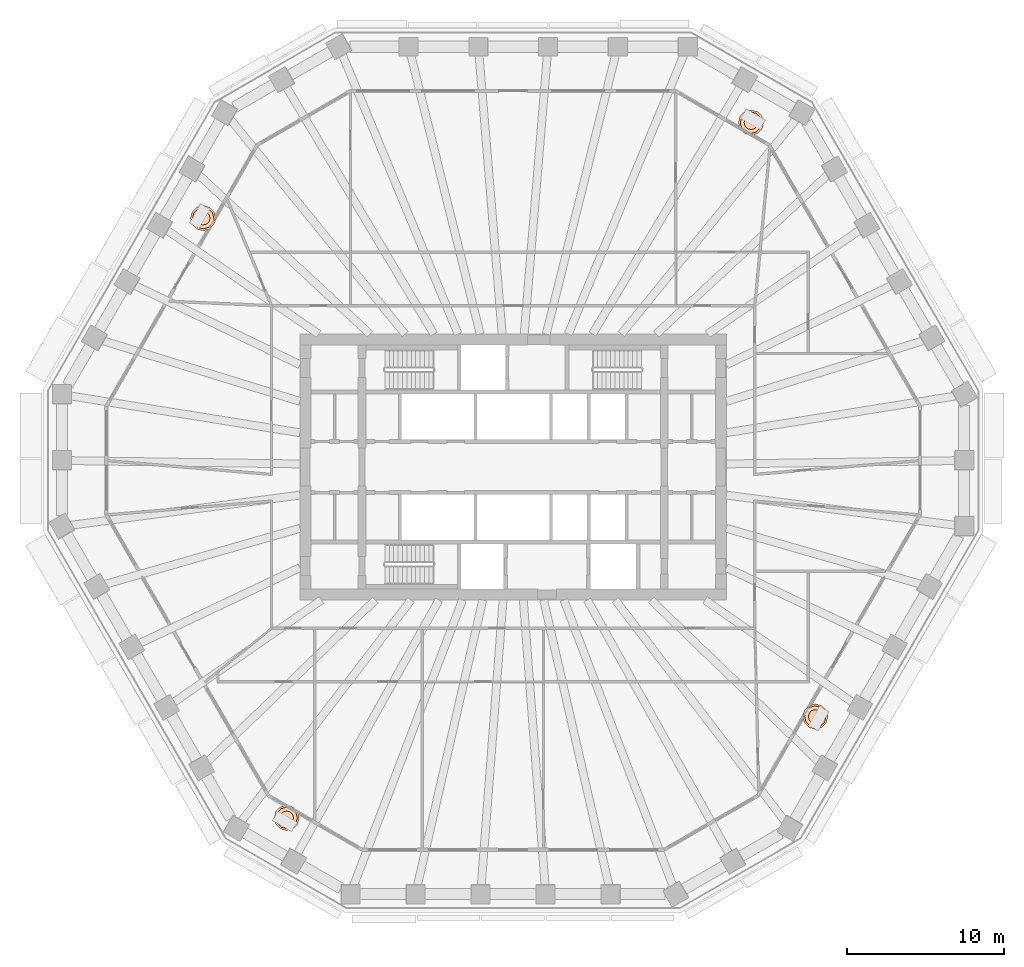
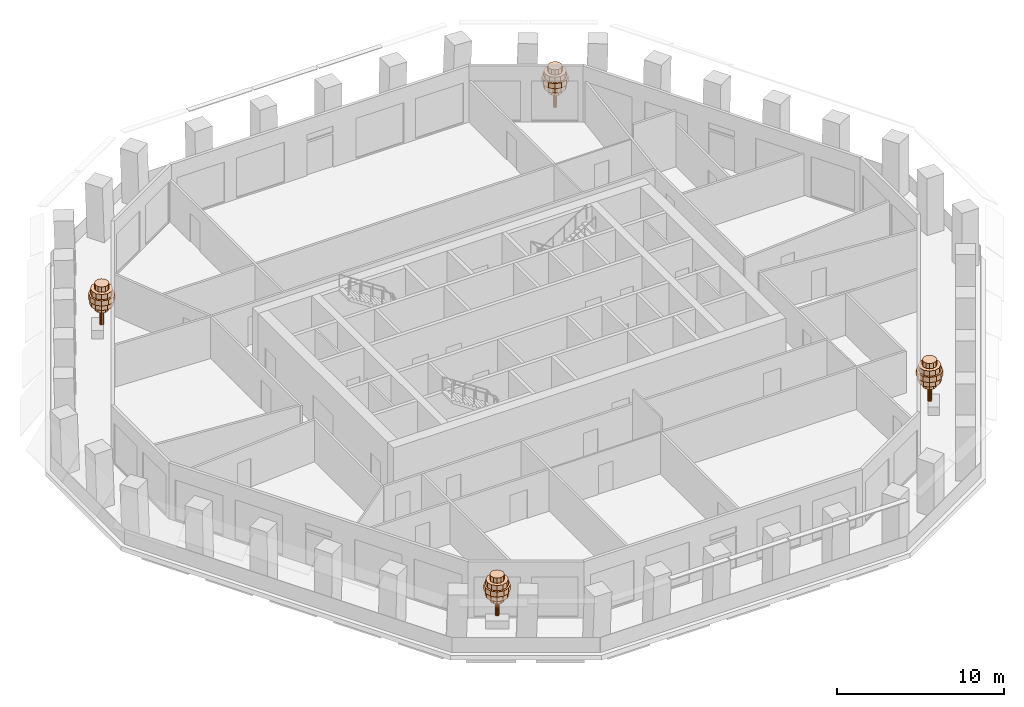
# One storey, part 12 of 12: 4 geographic elements.
"""IFC4 building model written with IfcOpenShell, lengths in metres."""

from ifc_helpers import new_model, si_unit, direction, frame, origin, place, context, subcontext, project, spatial, polyline, outline, extrude, material, type_object, element, save


model = new_model("IFC4")

# Units and contexts
model_context = context("Model", 3, precision=1e-05, world=origin(), true_north=direction((0.0, 1.0)))
body_context = subcontext(model_context, "Body", "Model", "MODEL_VIEW")
ifc_project = project(units=[si_unit("LENGTHUNIT", "METRE"), si_unit("AREAUNIT", "SQUARE_METRE"), si_unit("VOLUMEUNIT", "CUBIC_METRE"), si_unit("PLANEANGLEUNIT", "RADIAN"), si_unit("MASSUNIT", "GRAM", prefix="KILO")], contexts=[model_context])

# Site, building, storey
site_placement = place(None, origin())
site = spatial("IfcSite", under=ifc_project, at=site_placement, CompositionType="ELEMENT")
building_placement = place(site_placement, origin())
building = spatial("IfcBuilding", under=site, at=building_placement, Name="Frailejon Research Tower", CompositionType="ELEMENT")
storey_placement = place(building_placement, frame((0.0, 0.0, 158.39990234375)))
storey = spatial("IfcBuildingStorey", under=building, at=storey_placement, Name="L34", CompositionType="ELEMENT", Elevation=158.39990234375)

# Geographic elements
ifc_material = material(Name="Foliage, green")
geographic_element_type = type_object("IfcGeographicElementType", Name="Frailejon tree, loggia", PredefinedType="USERDEFINED", material=ifc_material)
geographic_element_1_placement = place(storey_placement, frame((15.1103515625, 21.878173828125, 0.60009765625)))
element("IfcGeographicElement", 1, at=geographic_element_1_placement, inside=storey, type_object=geographic_element_type, Name="Tree L34", ObjectType="TREE", PredefinedType="USERDEFINED", context=body_context, shape_type="SweptSolid", body=[
    extrude(outline(polyline([(0.1298828125, 0.0), (0.112548828125, 0.06494140625), (0.06494140625, 0.112548828125), (0.0, 0.1298828125), (-0.06494140625, 0.112548828125), (-0.112548828125, 0.06494140625), (-0.1298828125, 0.0), (-0.112548828125, -0.06494140625), (-0.06494140625, -0.112548828125), (0.0, -0.1298828125), (0.06494140625, -0.112548828125), (0.112548828125, -0.06494140625), (0.1298828125, 0.0)])), origin(), (0.0, 0.0, 1.0), 2.239990234375),
    extrude(outline(polyline([(0.43994140625, 0.0), (0.381103515625, 0.219970703125), (0.219970703125, 0.381103515625), (0.0, 0.43994140625), (-0.219970703125, 0.381103515625), (-0.381103515625, 0.219970703125), (-0.43994140625, 0.0), (-0.381103515625, -0.219970703125), (-0.219970703125, -0.381103515625), (0.0, -0.43994140625), (0.219970703125, -0.381103515625), (0.381103515625, -0.219970703125), (0.43994140625, 0.0)])), frame((0.0, 0.0, 1.10009765625)), (0.0, 0.0, 1.0), 0.3798828125),
    extrude(outline(polyline([(0.719970703125, 0.0), (0.62353515625, 0.360107421875), (0.360107421875, 0.62353515625), (0.0, 0.719970703125), (-0.360107421875, 0.62353515625), (-0.62353515625, 0.360107421875), (-0.719970703125, 0.0), (-0.62353515625, -0.360107421875), (-0.360107421875, -0.62353515625), (0.0, -0.719970703125), (0.360107421875, -0.62353515625), (0.62353515625, -0.360107421875), (0.719970703125, 0.0)])), frame((0.0, 0.0, 1.47998046875)), (0.0, 0.0, 1.0), 0.3798828125),
    extrude(outline(polyline([(0.800048828125, 0.0), (0.69287109375, 0.39990234375), (0.39990234375, 0.69287109375), (0.0, 0.800048828125), (-0.39990234375, 0.69287109375), (-0.69287109375, 0.39990234375), (-0.800048828125, 0.0), (-0.69287109375, -0.39990234375), (-0.39990234375, -0.69287109375), (0.0, -0.800048828125), (0.39990234375, -0.69287109375), (0.69287109375, -0.39990234375), (0.800048828125, 0.0)])), frame((0.0, 0.0, 1.860107421875)), (0.0, 0.0, 1.0), 0.3798828125),
    extrude(outline(polyline([(0.679931640625, 0.0), (0.5888671875, 0.340087890625), (0.340087890625, 0.5888671875), (0.0, 0.679931640625), (-0.340087890625, 0.5888671875), (-0.5888671875, 0.340087890625), (-0.679931640625, 0.0), (-0.5888671875, -0.340087890625), (-0.340087890625, -0.5888671875), (0.0, -0.679931640625), (0.340087890625, -0.5888671875), (0.5888671875, -0.340087890625), (0.679931640625, 0.0)])), frame((0.0, 0.0, 2.239990234375)), (0.0, 0.0, 1.0), 0.3798828125),
    extrude(outline(polyline([(0.43994140625, 0.0), (0.381103515625, 0.219970703125), (0.219970703125, 0.381103515625), (0.0, 0.43994140625), (-0.219970703125, 0.381103515625), (-0.381103515625, 0.219970703125), (-0.43994140625, 0.0), (-0.381103515625, -0.219970703125), (-0.219970703125, -0.381103515625), (0.0, -0.43994140625), (0.219970703125, -0.381103515625), (0.381103515625, -0.219970703125), (0.43994140625, 0.0)])), frame((0.0, 0.0, 2.6201171875)), (0.0, 0.0, 1.0), 0.3798828125),
])
geographic_element_2_placement = place(storey_placement, frame((-19.69677734375, 15.813720703125, 0.60009765625)))
element("IfcGeographicElement", 2, at=geographic_element_2_placement, inside=storey, type_object=geographic_element_type, Name="Tree L34", ObjectType="TREE", PredefinedType="USERDEFINED", context=body_context, shape_type="SweptSolid", body=[
    extrude(outline(polyline([(0.1298828125, 0.0), (0.112548828125, 0.06494140625), (0.06494140625, 0.112548828125), (0.0, 0.1298828125), (-0.06494140625, 0.112548828125), (-0.112548828125, 0.06494140625), (-0.1298828125, 0.0), (-0.112548828125, -0.06494140625), (-0.06494140625, -0.112548828125), (0.0, -0.1298828125), (0.06494140625, -0.112548828125), (0.112548828125, -0.06494140625), (0.1298828125, 0.0)])), origin(), (0.0, 0.0, 1.0), 2.239990234375),
    extrude(outline(polyline([(0.43994140625, 0.0), (0.381103515625, 0.219970703125), (0.219970703125, 0.381103515625), (0.0, 0.43994140625), (-0.219970703125, 0.381103515625), (-0.381103515625, 0.219970703125), (-0.43994140625, 0.0), (-0.381103515625, -0.219970703125), (-0.219970703125, -0.381103515625), (0.0, -0.43994140625), (0.219970703125, -0.381103515625), (0.381103515625, -0.219970703125), (0.43994140625, 0.0)])), frame((0.0, 0.0, 1.10009765625)), (0.0, 0.0, 1.0), 0.3798828125),
    extrude(outline(polyline([(0.719970703125, 0.0), (0.62353515625, 0.360107421875), (0.360107421875, 0.62353515625), (0.0, 0.719970703125), (-0.360107421875, 0.62353515625), (-0.62353515625, 0.360107421875), (-0.719970703125, 0.0), (-0.62353515625, -0.360107421875), (-0.360107421875, -0.62353515625), (0.0, -0.719970703125), (0.360107421875, -0.62353515625), (0.62353515625, -0.360107421875), (0.719970703125, 0.0)])), frame((0.0, 0.0, 1.47998046875)), (0.0, 0.0, 1.0), 0.3798828125),
    extrude(outline(polyline([(0.800048828125, 0.0), (0.69287109375, 0.39990234375), (0.39990234375, 0.69287109375), (0.0, 0.800048828125), (-0.39990234375, 0.69287109375), (-0.69287109375, 0.39990234375), (-0.800048828125, 0.0), (-0.69287109375, -0.39990234375), (-0.39990234375, -0.69287109375), (0.0, -0.800048828125), (0.39990234375, -0.69287109375), (0.69287109375, -0.39990234375), (0.800048828125, 0.0)])), frame((0.0, 0.0, 1.860107421875)), (0.0, 0.0, 1.0), 0.3798828125),
    extrude(outline(polyline([(0.679931640625, 0.0), (0.5888671875, 0.340087890625), (0.340087890625, 0.5888671875), (0.0, 0.679931640625), (-0.340087890625, 0.5888671875), (-0.5888671875, 0.340087890625), (-0.679931640625, 0.0), (-0.5888671875, -0.340087890625), (-0.340087890625, -0.5888671875), (0.0, -0.679931640625), (0.340087890625, -0.5888671875), (0.5888671875, -0.340087890625), (0.679931640625, 0.0)])), frame((0.0, 0.0, 2.239990234375)), (0.0, 0.0, 1.0), 0.3798828125),
    extrude(outline(polyline([(0.43994140625, 0.0), (0.381103515625, 0.219970703125), (0.219970703125, 0.381103515625), (0.0, 0.43994140625), (-0.219970703125, 0.381103515625), (-0.381103515625, 0.219970703125), (-0.43994140625, 0.0), (-0.381103515625, -0.219970703125), (-0.219970703125, -0.381103515625), (0.0, -0.43994140625), (0.219970703125, -0.381103515625), (0.381103515625, -0.219970703125), (0.43994140625, 0.0)])), frame((0.0, 0.0, 2.6201171875)), (0.0, 0.0, 1.0), 0.3798828125),
])
geographic_element_3_placement = place(storey_placement, frame((-14.391845703125, -22.293212890625, 0.60009765625)))
element("IfcGeographicElement", 3, at=geographic_element_3_placement, inside=storey, type_object=geographic_element_type, Name="Tree L34", ObjectType="TREE", PredefinedType="USERDEFINED", context=body_context, shape_type="SweptSolid", body=[
    extrude(outline(polyline([(0.1298828125, 0.0), (0.112548828125, 0.06494140625), (0.06494140625, 0.112548828125), (0.0, 0.1298828125), (-0.06494140625, 0.112548828125), (-0.112548828125, 0.06494140625), (-0.1298828125, 0.0), (-0.112548828125, -0.06494140625), (-0.06494140625, -0.112548828125), (0.0, -0.1298828125), (0.06494140625, -0.112548828125), (0.112548828125, -0.06494140625), (0.1298828125, 0.0)])), origin(), (0.0, 0.0, 1.0), 2.239990234375),
    extrude(outline(polyline([(0.43994140625, 0.0), (0.381103515625, 0.219970703125), (0.219970703125, 0.381103515625), (0.0, 0.43994140625), (-0.219970703125, 0.381103515625), (-0.381103515625, 0.219970703125), (-0.43994140625, 0.0), (-0.381103515625, -0.219970703125), (-0.219970703125, -0.381103515625), (0.0, -0.43994140625), (0.219970703125, -0.381103515625), (0.381103515625, -0.219970703125), (0.43994140625, 0.0)])), frame((0.0, 0.0, 1.10009765625)), (0.0, 0.0, 1.0), 0.3798828125),
    extrude(outline(polyline([(0.719970703125, 0.0), (0.62353515625, 0.360107421875), (0.360107421875, 0.62353515625), (0.0, 0.719970703125), (-0.360107421875, 0.62353515625), (-0.62353515625, 0.360107421875), (-0.719970703125, 0.0), (-0.62353515625, -0.360107421875), (-0.360107421875, -0.62353515625), (0.0, -0.719970703125), (0.360107421875, -0.62353515625), (0.62353515625, -0.360107421875), (0.719970703125, 0.0)])), frame((0.0, 0.0, 1.47998046875)), (0.0, 0.0, 1.0), 0.3798828125),
    extrude(outline(polyline([(0.800048828125, 0.0), (0.69287109375, 0.39990234375), (0.39990234375, 0.69287109375), (0.0, 0.800048828125), (-0.39990234375, 0.69287109375), (-0.69287109375, 0.39990234375), (-0.800048828125, 0.0), (-0.69287109375, -0.39990234375), (-0.39990234375, -0.69287109375), (0.0, -0.800048828125), (0.39990234375, -0.69287109375), (0.69287109375, -0.39990234375), (0.800048828125, 0.0)])), frame((0.0, 0.0, 1.860107421875)), (0.0, 0.0, 1.0), 0.3798828125),
    extrude(outline(polyline([(0.679931640625, 0.0), (0.5888671875, 0.340087890625), (0.340087890625, 0.5888671875), (0.0, 0.679931640625), (-0.340087890625, 0.5888671875), (-0.5888671875, 0.340087890625), (-0.679931640625, 0.0), (-0.5888671875, -0.340087890625), (-0.340087890625, -0.5888671875), (0.0, -0.679931640625), (0.340087890625, -0.5888671875), (0.5888671875, -0.340087890625), (0.679931640625, 0.0)])), frame((0.0, 0.0, 2.239990234375)), (0.0, 0.0, 1.0), 0.3798828125),
    extrude(outline(polyline([(0.43994140625, 0.0), (0.381103515625, 0.219970703125), (0.219970703125, 0.381103515625), (0.0, 0.43994140625), (-0.219970703125, 0.381103515625), (-0.381103515625, 0.219970703125), (-0.43994140625, 0.0), (-0.381103515625, -0.219970703125), (-0.219970703125, -0.381103515625), (0.0, -0.43994140625), (0.219970703125, -0.381103515625), (0.381103515625, -0.219970703125), (0.43994140625, 0.0)])), frame((0.0, 0.0, 2.6201171875)), (0.0, 0.0, 1.0), 0.3798828125),
])
geographic_element_4_placement = place(storey_placement, frame((19.19384765625, -15.855224609375, 0.60009765625)))
element("IfcGeographicElement", 4, at=geographic_element_4_placement, inside=storey, type_object=geographic_element_type, Name="Tree L34", ObjectType="TREE", PredefinedType="USERDEFINED", context=body_context, shape_type="SweptSolid", body=[
    extrude(outline(polyline([(0.1298828125, 0.0), (0.112548828125, 0.06494140625), (0.06494140625, 0.112548828125), (0.0, 0.1298828125), (-0.06494140625, 0.112548828125), (-0.112548828125, 0.06494140625), (-0.1298828125, 0.0), (-0.112548828125, -0.06494140625), (-0.06494140625, -0.112548828125), (0.0, -0.1298828125), (0.06494140625, -0.112548828125), (0.112548828125, -0.06494140625), (0.1298828125, 0.0)])), origin(), (0.0, 0.0, 1.0), 2.239990234375),
    extrude(outline(polyline([(0.43994140625, 0.0), (0.381103515625, 0.219970703125), (0.219970703125, 0.381103515625), (0.0, 0.43994140625), (-0.219970703125, 0.381103515625), (-0.381103515625, 0.219970703125), (-0.43994140625, 0.0), (-0.381103515625, -0.219970703125), (-0.219970703125, -0.381103515625), (0.0, -0.43994140625), (0.219970703125, -0.381103515625), (0.381103515625, -0.219970703125), (0.43994140625, 0.0)])), frame((0.0, 0.0, 1.10009765625)), (0.0, 0.0, 1.0), 0.3798828125),
    extrude(outline(polyline([(0.719970703125, 0.0), (0.62353515625, 0.360107421875), (0.360107421875, 0.62353515625), (0.0, 0.719970703125), (-0.360107421875, 0.62353515625), (-0.62353515625, 0.360107421875), (-0.719970703125, 0.0), (-0.62353515625, -0.360107421875), (-0.360107421875, -0.62353515625), (0.0, -0.719970703125), (0.360107421875, -0.62353515625), (0.62353515625, -0.360107421875), (0.719970703125, 0.0)])), frame((0.0, 0.0, 1.47998046875)), (0.0, 0.0, 1.0), 0.3798828125),
    extrude(outline(polyline([(0.800048828125, 0.0), (0.69287109375, 0.39990234375), (0.39990234375, 0.69287109375), (0.0, 0.800048828125), (-0.39990234375, 0.69287109375), (-0.69287109375, 0.39990234375), (-0.800048828125, 0.0), (-0.69287109375, -0.39990234375), (-0.39990234375, -0.69287109375), (0.0, -0.800048828125), (0.39990234375, -0.69287109375), (0.69287109375, -0.39990234375), (0.800048828125, 0.0)])), frame((0.0, 0.0, 1.860107421875)), (0.0, 0.0, 1.0), 0.3798828125),
    extrude(outline(polyline([(0.679931640625, 0.0), (0.5888671875, 0.340087890625), (0.340087890625, 0.5888671875), (0.0, 0.679931640625), (-0.340087890625, 0.5888671875), (-0.5888671875, 0.340087890625), (-0.679931640625, 0.0), (-0.5888671875, -0.340087890625), (-0.340087890625, -0.5888671875), (0.0, -0.679931640625), (0.340087890625, -0.5888671875), (0.5888671875, -0.340087890625), (0.679931640625, 0.0)])), frame((0.0, 0.0, 2.239990234375)), (0.0, 0.0, 1.0), 0.3798828125),
    extrude(outline(polyline([(0.43994140625, 0.0), (0.381103515625, 0.219970703125), (0.219970703125, 0.381103515625), (0.0, 0.43994140625), (-0.219970703125, 0.381103515625), (-0.381103515625, 0.219970703125), (-0.43994140625, 0.0), (-0.381103515625, -0.219970703125), (-0.219970703125, -0.381103515625), (0.0, -0.43994140625), (0.219970703125, -0.381103515625), (0.381103515625, -0.219970703125), (0.43994140625, 0.0)])), frame((0.0, 0.0, 2.6201171875)), (0.0, 0.0, 1.0), 0.3798828125),
])

save(model, "model.ifc")
